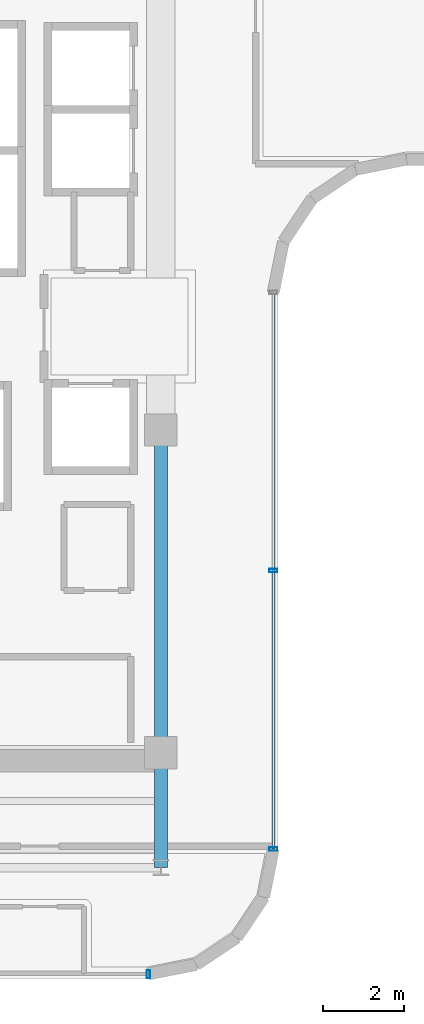
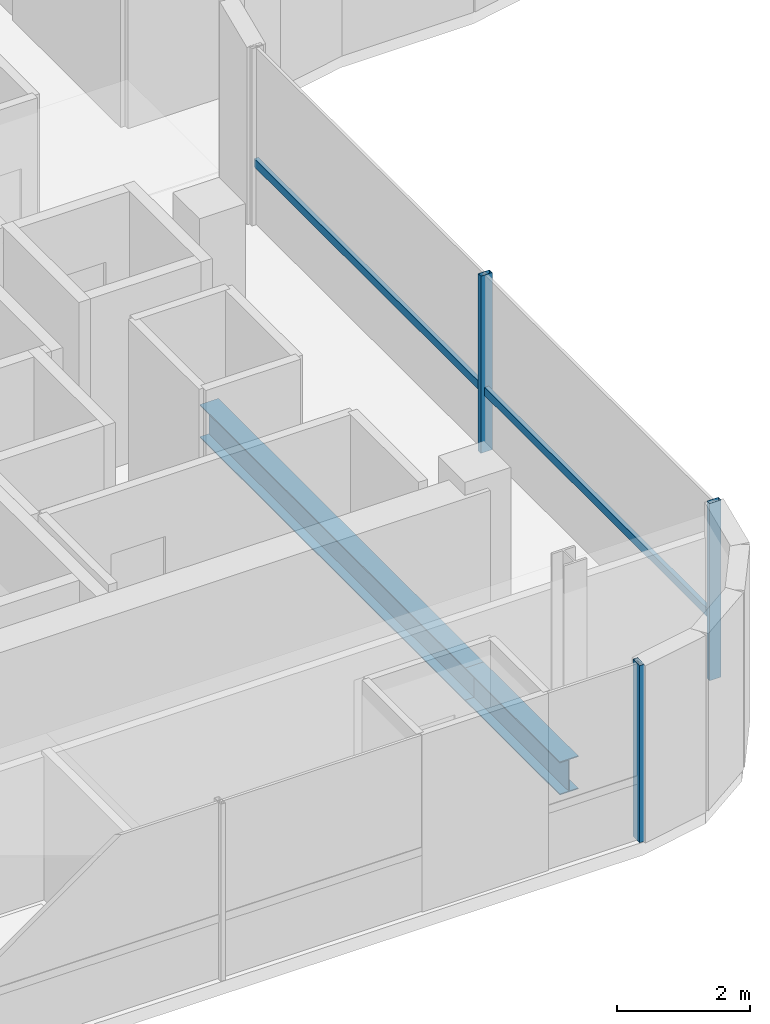
# One storey, part 6 of 21: 4 members, 2 beams, 2 elements without a shape of their own.
"""IFC4 building model written with IfcOpenShell, lengths in metres."""

from ifc_helpers import new_model, si_unit, direction, frame, origin, origin_2d, place, context, subcontext, project, spatial, hollow_rectangle, i_section, extrude, source, transform, mapped, material, material_profile, profile_set, type_object, element, aggregate, save


model = new_model("IFC4")

# Units and contexts
model_context = context("Model", 3, precision=1e-05, world=origin(), true_north=direction((0.0, 1.0)))
body_context = subcontext(model_context, "Body", "Model", "MODEL_VIEW")
ifc_project = project(units=[si_unit("LENGTHUNIT", "METRE"), si_unit("AREAUNIT", "SQUARE_METRE"), si_unit("VOLUMEUNIT", "CUBIC_METRE"), si_unit("PLANEANGLEUNIT", "RADIAN"), si_unit("MASSUNIT", "GRAM", prefix="KILO")], contexts=[model_context])

# Site, building, storey
site_placement = place(None, origin())
site = spatial("IfcSite", under=ifc_project, at=site_placement, CompositionType="ELEMENT")
building_placement = place(site_placement, origin())
building = spatial("IfcBuilding", under=site, at=building_placement, Name="Valdorenza Pilgrim Sanctuary Tower", CompositionType="ELEMENT")
storey_placement = place(building_placement, frame((0.0, 0.0, 254.5)))
storey = spatial("IfcBuildingStorey", under=building, at=storey_placement, Name="L66", CompositionType="ELEMENT", Elevation=254.5)

# Beams
ifc_material_1 = material(Name="Steel ASTM A992 Grade 50", Category="steel")
ifc_material_profile_1 = material_profile(ifc_material_1, i_section(OverallWidth=0.323974609375, OverallDepth=0.611083984375, WebThickness=0.0126953125, FlangeThickness=0.01904296875, at=origin_2d()), Name="W24X104")
ifc_profile_set_1 = profile_set([ifc_material_profile_1], Name="Steel ASTM A992 Grade 50")
beam_type = type_object("IfcBeamType", Name="STR-BM-GRD-W24B", PredefinedType="BEAM", material=ifc_profile_set_1)
shared_shape_1 = source(origin(), body_context, "Body", "SweptSolid", [
    extrude(i_section(OverallWidth=0.323974609375, OverallDepth=0.611083984375, WebThickness=0.0126953125, FlangeThickness=0.01904296875, at=origin_2d()), origin(), (0.0, 0.0, 1.0), 8.0),
])
beam_1_placement = place(storey_placement, frame((-12.39990234375, -10.60009765625, -0.54541015625), z_axis=(0.0, 1.0, 0.0), x_axis=(-1.0, 0.0, 0.0)))
element("IfcBeam", 1, at=beam_1_placement, inside=storey, type_object=beam_type, Name="L66 Core Tie Girder CA-E-S1M0", PredefinedType="BEAM", context=body_context, shape_type="MappedRepresentation", body=[
    mapped(shared_shape_1, transform((0.0, 0.0, 0.0), x_axis=(1.0, 0.0, 0.0), y_axis=(0.0, 1.0, 0.0), z_axis=(0.0, 0.0, 1.0), scale=1.0)),
])
shared_shape_2 = source(origin(), body_context, "Body", "SweptSolid", [
    extrude(i_section(OverallWidth=0.323974609375, OverallDepth=0.611083984375, WebThickness=0.0126953125, FlangeThickness=0.01904296875, at=origin_2d()), origin(), (0.0, 0.0, 1.0), 2.849853515625),
])
beam_2_placement = place(storey_placement, frame((-12.39990234375, -13.449951171875, -0.54541015625), z_axis=(0.0, 1.0, 0.0), x_axis=(-1.0, 0.0, 0.0)))
element("IfcBeam", 2, at=beam_2_placement, inside=storey, type_object=beam_type, Name="L66 Floor Girder WA-S-LE", PredefinedType="BEAM", context=body_context, shape_type="MappedRepresentation", body=[
    mapped(shared_shape_2, transform((0.0, 0.0, 0.0), x_axis=(1.0, 0.0, 0.0), y_axis=(0.0, 1.0, 0.0), z_axis=(0.0, 0.0, 1.0), scale=1.0)),
])

# Curtain wall, members
ifc_material_2 = material(Name="Curtain-wall IGU glazing", Category="glass")
curtain_wall_type = type_object("IfcCurtainWallType", Name="CW-SYS-02", PredefinedType="NOTDEFINED", material=ifc_material_2)
curtain_wall_1_placement = place(storey_placement, origin())
curtain_wall_1 = element("IfcCurtainWall", 3, at=curtain_wall_1_placement, inside=storey, type_object=curtain_wall_type, Name="L66 Curtain Wall CW-L66-1-21", PredefinedType="NOTDEFINED")
ifc_material_3 = material(Name="Anodised aluminium AW-6060", Category="aluminium")
ifc_material_profile_2 = material_profile(ifc_material_3, hollow_rectangle(XDim=0.0849609375, YDim=0.199951171875, WallThickness=0.0048828125, at=origin_2d()), Name="ALU-M 200x85x5")
ifc_profile_set_2 = profile_set([ifc_material_profile_2], Name="Anodised aluminium AW-6060")
member_type_1 = type_object("IfcMemberType", Name="CW-MUL-02", PredefinedType="MULLION", material=ifc_profile_set_2)
shared_shape_3 = source(origin(), body_context, "Body", "SweptSolid", [
    extrude(hollow_rectangle(XDim=0.0849609375, YDim=0.199951171875, WallThickness=0.0048828125, at=origin_2d()), origin(), (0.0, 0.0, 1.0), 3.260009765625),
])
member_1_placement = place(storey_placement, frame((-9.610107421875, -6.089111328125, 0.0), z_axis=(0.0, 0.0, 1.0), x_axis=(0.0, -1.0, 0.0)))
member_1 = element("IfcMember", 4, at=member_1_placement, type_object=member_type_1, Name="CW-L66-1-21 Mullion 2", PredefinedType="MULLION", context=body_context, shape_type="MappedRepresentation", body=[
    mapped(shared_shape_3, transform((0.0, 0.0, 0.0), x_axis=(1.0, 0.0, 0.0), y_axis=(0.0, 1.0, 0.0), z_axis=(0.0, 0.0, 1.0), scale=1.0)),
])
member_2_placement = place(storey_placement, frame((-9.610107421875, -12.9892578125, 0.0), z_axis=(0.0, 0.0, 1.0), x_axis=(0.0, -1.0, 0.0)))
member_2 = element("IfcMember", 5, at=member_2_placement, type_object=member_type_1, Name="CW-L66-1-21 Mullion 3", PredefinedType="MULLION", context=body_context, shape_type="MappedRepresentation", body=[
    mapped(shared_shape_3, transform((0.0, 0.0, 0.0), x_axis=(1.0, 0.0, 0.0), y_axis=(0.0, 1.0, 0.0), z_axis=(0.0, 0.0, 1.0), scale=1.0)),
])

# Curtain wall, member
curtain_wall_2_placement = place(storey_placement, origin())
curtain_wall_2 = element("IfcCurtainWall", 6, at=curtain_wall_2_placement, inside=storey, type_object=curtain_wall_type, Name="L66 Curtain Wall CW-L66-1-26", PredefinedType="NOTDEFINED")
member_3_placement = place(storey_placement, frame((-12.710693359375, -16.090087890625, 0.0), z_axis=(0.0, 0.0, 1.0), x_axis=(-1.0, 0.0, 0.0)))
member_3 = element("IfcMember", 7, at=member_3_placement, type_object=member_type_1, Name="CW-L66-1-26 Mullion 1", PredefinedType="MULLION", context=body_context, shape_type="MappedRepresentation", body=[
    mapped(shared_shape_3, transform((0.0, 0.0, 0.0), x_axis=(1.0, 0.0, 0.0), y_axis=(0.0, 1.0, 0.0), z_axis=(0.0, 0.0, 1.0), scale=1.0)),
])
aggregate(curtain_wall_2, [member_3])

# Member
ifc_material_profile_3 = material_profile(ifc_material_3, hollow_rectangle(XDim=0.074951171875, YDim=0.14990234375, WallThickness=0.00390625, at=origin_2d()), Name="ALU-T 150x75x4")
ifc_profile_set_3 = profile_set([ifc_material_profile_3], Name="Anodised aluminium AW-6060")
member_type_2 = type_object("IfcMemberType", Name="CW-TRN-02", PredefinedType="USERDEFINED", material=ifc_profile_set_3)
shared_shape_4 = source(origin(), body_context, "Body", "SweptSolid", [
    extrude(hollow_rectangle(XDim=0.074951171875, YDim=0.14990234375, WallThickness=0.00390625, at=origin_2d()), origin(), (0.0, 0.0, 1.0), 13.800048828125),
])
member_4_placement = place(storey_placement, frame((-9.610107421875, 0.810791015625, 1.1201171875), z_axis=(0.0, -1.0, 0.0), x_axis=(1.0, 0.0, 0.0)))
member_4 = element("IfcMember", 8, at=member_4_placement, type_object=member_type_2, Name="CW-L66-1-21 Transom 1", ObjectType="TRANSOM", PredefinedType="USERDEFINED", context=body_context, shape_type="MappedRepresentation", body=[
    mapped(shared_shape_4, transform((0.0, 0.0, 0.0), x_axis=(1.0, 0.0, 0.0), y_axis=(0.0, 1.0, 0.0), z_axis=(0.0, 0.0, 1.0), scale=1.0)),
])

aggregate(curtain_wall_1, [member_1, member_2, member_4])

save(model, "model.ifc")
